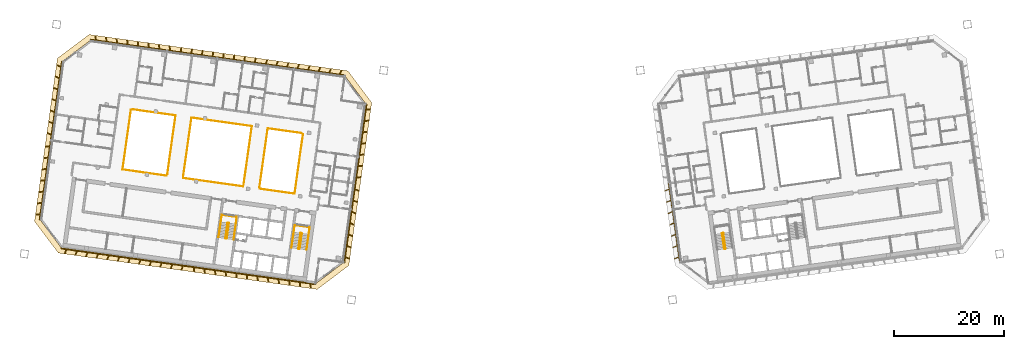
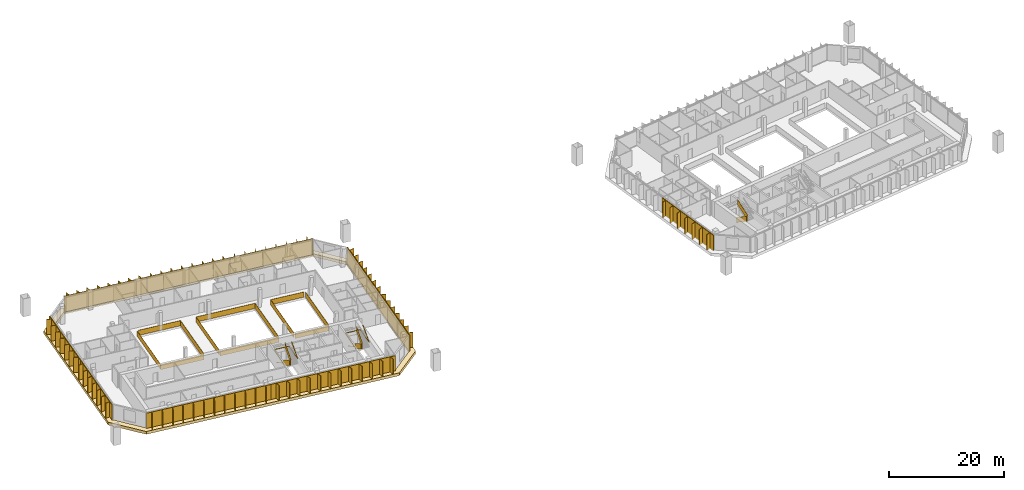
# One storey, part 22 of 23: 11 railings, 10 shading devices, 1 covering.
"""IFC4 building model written with IfcOpenShell, lengths in metres."""

from ifc_helpers import new_model, si_unit, direction, frame, origin, origin_2d, place, context, subcontext, project, spatial, polyline, rectangle, outline, extrude, material, layer, layer_set, type_object, element, save


model = new_model("IFC4")

# Units and contexts
model_context = context("Model", 3, precision=1e-05, world=origin(), true_north=direction((0.0, 1.0)))
body_context = subcontext(model_context, "Body", "Model", "MODEL_VIEW")
ifc_project = project(units=[si_unit("LENGTHUNIT", "METRE"), si_unit("AREAUNIT", "SQUARE_METRE"), si_unit("VOLUMEUNIT", "CUBIC_METRE"), si_unit("PLANEANGLEUNIT", "RADIAN"), si_unit("MASSUNIT", "GRAM", prefix="KILO")], contexts=[model_context])

# Site, building, storey
site_placement = place(None, origin())
site = spatial("IfcSite", under=ifc_project, at=site_placement, CompositionType="ELEMENT")
building_placement = place(site_placement, origin())
building = spatial("IfcBuilding", under=site, at=building_placement, Name="Mirante Cascada Hotel Towers", CompositionType="ELEMENT")
storey_placement = place(building_placement, frame((0.0, 0.0, 187.8)))
storey = spatial("IfcBuildingStorey", under=building, at=storey_placement, Name="L44", CompositionType="ELEMENT", Elevation=187.8)

# Railings
ifc_material_1 = material(Name="Toughened glass with stainless steel handrail", Category="steel")
railing_type_1 = type_object("IfcRailingType", Name="Atrium guard 1100 glass balustrade", PredefinedType="GUARDRAIL", material=ifc_material_1)
railing_1_placement = place(storey_placement, frame((-37.864, 6.7125, 0.0)))
element("IfcRailing", 1, at=railing_1_placement, inside=storey, type_object=railing_type_1, Name="GUARD 1-L44-1", PredefinedType="GUARDRAIL", context=body_context, shape_type="SweptSolid", body=[
    extrude(rectangle(XDim=0.048, YDim=0.048, at=origin_2d()), frame((0.0, 0.0, 1.076), z_axis=(-0.1391712, -0.9902683, 0.0), x_axis=(0.9902683, -0.1391712, 0.0)), (0.0, 0.0, 1.0), 10.9333),
    extrude(rectangle(XDim=0.02, YDim=1.052, at=origin_2d()), frame((0.0, 0.0, 0.526), z_axis=(-0.1391712, -0.9902683, 0.0), x_axis=(0.9902683, -0.1391712, 0.0)), (0.0, 0.0, 1.0), 10.9333),
    extrude(rectangle(XDim=0.048, YDim=0.048, at=origin_2d()), frame((-1.5216, -10.8269, 1.076), z_axis=(-0.9902682, 0.1391722, 0.0), x_axis=(-0.1391722, -0.9902682, 0.0)), (0.0, 0.0, 1.0), 6.4309),
    extrude(rectangle(XDim=0.02, YDim=1.052, at=origin_2d()), frame((-1.5216, -10.8269, 0.526), z_axis=(-0.9902682, 0.1391722, 0.0), x_axis=(-0.1391722, -0.9902682, 0.0)), (0.0, 0.0, 1.0), 6.4309),
])
railing_2_placement = place(storey_placement, frame((-48.7247, -2.8018, 0.0)))
element("IfcRailing", 2, at=railing_2_placement, inside=storey, type_object=railing_type_1, Name="GUARD 1-L44-2", PredefinedType="GUARDRAIL", context=body_context, shape_type="SweptSolid", body=[
    extrude(rectangle(XDim=0.048, YDim=0.048, at=origin_2d()), frame((0.0, 0.0, 1.076), z_axis=(-0.9902678, 0.139175, 0.0), x_axis=(-0.139175, -0.9902678, 0.0)), (0.0, 0.0, 1.0), 10.9581),
    extrude(rectangle(XDim=0.02, YDim=1.052, at=origin_2d()), frame((0.0, 0.0, 0.526), z_axis=(-0.9902678, 0.139175, 0.0), x_axis=(-0.139175, -0.9902678, 0.0)), (0.0, 0.0, 1.0), 10.9581),
])
railing_3_placement = place(storey_placement, frame((-62.5471, -0.8592, 0.0)))
element("IfcRailing", 3, at=railing_3_placement, inside=storey, type_object=railing_type_1, Name="GUARD 1-L44-3", PredefinedType="GUARDRAIL", context=body_context, shape_type="SweptSolid", body=[
    extrude(rectangle(XDim=0.048, YDim=0.048, at=origin_2d()), frame((0.0, 0.0, 1.076), z_axis=(1.0, 0.0, 0.0), x_axis=(0.0, 1.0, 0.0)), (0.0, 0.0, 1.0), 0.0001),
    extrude(rectangle(XDim=0.02, YDim=1.052, at=origin_2d()), frame((0.0, 0.0, 0.526), z_axis=(1.0, 0.0, 0.0), x_axis=(0.0, 1.0, 0.0)), (0.0, 0.0, 1.0), 0.0001),
    extrude(rectangle(XDim=0.048, YDim=0.048, at=origin_2d()), frame((0.0001, 0.0, 1.076), z_axis=(-0.9902685, 0.1391702, 0.0), x_axis=(-0.1391702, -0.9902685, 0.0)), (0.0, 0.0, 1.0), 8.1109),
    extrude(rectangle(XDim=0.02, YDim=1.052, at=origin_2d()), frame((0.0001, 0.0, 0.526), z_axis=(-0.9902685, 0.1391702, 0.0), x_axis=(-0.1391702, -0.9902685, 0.0)), (0.0, 0.0, 1.0), 8.1109),
    extrude(rectangle(XDim=0.048, YDim=0.048, at=origin_2d()), frame((-8.0319, 1.1288, 1.076), z_axis=(0.1391712, 0.9902683, 0.0), x_axis=(-0.9902683, 0.1391712, 0.0)), (0.0, 0.0, 1.0), 10.9333),
    extrude(rectangle(XDim=0.02, YDim=1.052, at=origin_2d()), frame((-8.0319, 1.1288, 0.526), z_axis=(0.1391712, 0.9902683, 0.0), x_axis=(-0.9902683, 0.1391712, 0.0)), (0.0, 0.0, 1.0), 10.9333),
])
railing_4_placement = place(storey_placement, frame((-62.4573, -0.5733, 0.0)))
element("IfcRailing", 4, at=railing_4_placement, inside=storey, type_object=railing_type_1, Name="GUARD 1-L44-4", PredefinedType="GUARDRAIL", context=body_context, shape_type="SweptSolid", body=[
    extrude(rectangle(XDim=0.048, YDim=0.048, at=origin_2d()), frame((0.0, 0.0, 1.076), z_axis=(0.1391702, 0.9902685, 0.0), x_axis=(-0.9902685, 0.1391702, 0.0)), (0.0, 0.0, 1.0), 10.7545),
    extrude(rectangle(XDim=0.02, YDim=1.052, at=origin_2d()), frame((0.0, 0.0, 0.526), z_axis=(0.1391702, 0.9902685, 0.0), x_axis=(-0.9902685, 0.1391702, 0.0)), (0.0, 0.0, 1.0), 10.7545),
    extrude(rectangle(XDim=0.048, YDim=0.048, at=origin_2d()), frame((1.4967, 10.6498, 1.076), z_axis=(-0.9902699, 0.1391604, 0.0), x_axis=(-0.1391604, -0.9902699, 0.0)), (0.0, 0.0, 1.0), 7.8837),
    extrude(rectangle(XDim=0.02, YDim=1.052, at=origin_2d()), frame((1.4967, 10.6498, 0.526), z_axis=(-0.9902699, 0.1391604, 0.0), x_axis=(-0.1391604, -0.9902699, 0.0)), (0.0, 0.0, 1.0), 7.8837),
])
railing_5_placement = place(storey_placement, frame((-48.635, -2.5159, 0.0)))
element("IfcRailing", 5, at=railing_5_placement, inside=storey, type_object=railing_type_1, Name="GUARD 1-L44-5", PredefinedType="GUARDRAIL", context=body_context, shape_type="SweptSolid", body=[
    extrude(rectangle(XDim=0.048, YDim=0.048, at=origin_2d()), frame((0.0, 0.0, 1.076), z_axis=(0.1391702, 0.9902685, 0.0), x_axis=(-0.9902685, 0.1391702, 0.0)), (0.0, 0.0, 1.0), 10.7545),
    extrude(rectangle(XDim=0.02, YDim=1.052, at=origin_2d()), frame((0.0, 0.0, 0.526), z_axis=(0.1391702, 0.9902685, 0.0), x_axis=(-0.9902685, 0.1391702, 0.0)), (0.0, 0.0, 1.0), 10.7545),
    extrude(rectangle(XDim=0.048, YDim=0.048, at=origin_2d()), frame((1.4967, 10.6498, 1.076), z_axis=(-0.9902684, 0.1391708, 0.0), x_axis=(-0.1391708, -0.9902684, 0.0)), (0.0, 0.0, 1.0), 11.0562),
    extrude(rectangle(XDim=0.02, YDim=1.052, at=origin_2d()), frame((1.4967, 10.6498, 0.526), z_axis=(-0.9902684, 0.1391708, 0.0), x_axis=(-0.1391708, -0.9902684, 0.0)), (0.0, 0.0, 1.0), 11.0562),
    extrude(rectangle(XDim=0.048, YDim=0.048, at=origin_2d()), frame((-9.4519, 12.1885, 1.076), z_axis=(-0.1391702, -0.9902685, 0.0), x_axis=(0.9902685, -0.1391702, 0.0)), (0.0, 0.0, 1.0), 10.7545),
    extrude(rectangle(XDim=0.02, YDim=1.052, at=origin_2d()), frame((-9.4519, 12.1885, 0.526), z_axis=(-0.1391702, -0.9902685, 0.0), x_axis=(0.9902685, -0.1391702, 0.0)), (0.0, 0.0, 1.0), 10.7545),
])
railing_6_placement = place(storey_placement, frame((-38.1213, 6.8666, 0.0)))
element("IfcRailing", 6, at=railing_6_placement, inside=storey, type_object=railing_type_1, Name="GUARD 1-L44-6", PredefinedType="GUARDRAIL", context=body_context, shape_type="SweptSolid", body=[
    extrude(rectangle(XDim=0.048, YDim=0.048, at=origin_2d()), frame((0.0, 0.0, 1.076), z_axis=(-0.9902677, 0.1391755, 0.0), x_axis=(-0.1391755, -0.9902677, 0.0)), (0.0, 0.0, 1.0), 6.2037),
    extrude(rectangle(XDim=0.02, YDim=1.052, at=origin_2d()), frame((0.0, 0.0, 0.526), z_axis=(-0.9902677, 0.1391755, 0.0), x_axis=(-0.1391755, -0.9902677, 0.0)), (0.0, 0.0, 1.0), 6.2037),
    extrude(rectangle(XDim=0.048, YDim=0.048, at=origin_2d()), frame((-6.1433, 0.8634, 1.076), z_axis=(-0.1391702, -0.9902685, 0.0), x_axis=(0.9902685, -0.1391702, 0.0)), (0.0, 0.0, 1.0), 10.7545),
    extrude(rectangle(XDim=0.02, YDim=1.052, at=origin_2d()), frame((-6.1433, 0.8634, 0.526), z_axis=(-0.1391702, -0.9902685, 0.0), x_axis=(0.9902685, -0.1391702, 0.0)), (0.0, 0.0, 1.0), 10.7545),
])

# Covering
ifc_material_2 = material(Name="Precast concrete C40/50 white", Category="concrete")
ifc_layer = layer(ifc_material_2, 0.6)
ifc_layer_set = layer_set([ifc_layer], Name="Precast concrete SUNSHADE band 1000x600")
covering_type = type_object("IfcCoveringType", Name="Precast concrete SUNSHADE band 1000x600", PredefinedType="CLADDING", material=ifc_layer_set)
covering_placement = place(storey_placement, frame((0.0, 0.0, -0.45)))
element("IfcCovering", 7, at=covering_placement, inside=storey, type_object=covering_type, Name="Precast concrete SUNSHADE band T1 L44", PredefinedType="CLADDING", context=body_context, shape_type="SweptSolid", body=[
    extrude(outline(polyline([(-86.5404, -9.1145), (-82.3891, 20.4236), (-76.645, 24.7521), (-29.7501, 18.1614), (-25.4216, 12.4173), (-29.5729, -17.1208), (-35.317, -21.4493), (-82.2119, -14.8586), (-86.5404, -9.1145)]), holes=[polyline([(-26.4695, 12.1463), (-30.2994, 17.2288), (-76.374, 23.7042), (-81.4565, 19.8742), (-85.4925, -8.8435), (-81.6626, -13.926), (-35.588, -20.4014), (-30.5055, -16.5715), (-26.4695, 12.1463)])]), origin(), (0.0, 0.0, 1.0), 0.6),
])

# Railings
ifc_material_3 = material(Name="Painted steel", Category="steel")
railing_type_2 = type_object("IfcRailingType", Name="Stair guard 1100 steel balustrade", PredefinedType="GUARDRAIL", material=ifc_material_3)
railing_7_placement = place(storey_placement, frame((-38.1178, -11.2603, 0.0)))
element("IfcRailing", 8, at=railing_7_placement, inside=storey, type_object=railing_type_2, Name="L44 ST1-A stair guard 1", PredefinedType="GUARDRAIL", context=body_context, shape_type="SweptSolid", body=[
    extrude(rectangle(XDim=0.048, YDim=0.048, at=origin_2d()), frame((0.0, 0.0, 1.076), z_axis=(-0.9903326, 0.1387133, 0.0), x_axis=(-0.1387133, -0.9903326, 0.0)), (0.0, 0.0, 1.0), 0.1499),
    extrude(rectangle(XDim=0.02, YDim=1.052, at=origin_2d()), frame((0.0, 0.0, 0.526), z_axis=(-0.9903326, 0.1387133, 0.0), x_axis=(-0.1387133, -0.9903326, 0.0)), (0.0, 0.0, 1.0), 0.1499),
    extrude(rectangle(XDim=0.048, YDim=0.048, at=origin_2d()), frame((-0.1485, 0.0208, 1.076), z_axis=(-0.7991505, -0.6011309, 0.0), x_axis=(0.6011309, -0.7991505, 0.0)), (0.0, 0.9254529, 0.3788627), 0.1866),
    extrude(rectangle(XDim=0.02, YDim=1.052, at=origin_2d()), frame((-0.1485, 0.0208, 0.526), z_axis=(-0.7991505, -0.6011309, 0.0), x_axis=(0.6011309, -0.7991505, 0.0)), (0.0, 0.9254529, 0.3788627), 0.1866),
    extrude(rectangle(XDim=0.048, YDim=0.048, at=origin_2d()), frame((-0.205, -0.0217, 1.2487), z_axis=(-0.139176, -0.9902677, 0.0), x_axis=(0.9902677, -0.139176, 0.0)), (0.0, 0.5250212, 0.8510891), 3.29),
    extrude(rectangle(XDim=0.02, YDim=1.052, at=origin_2d()), frame((-0.205, -0.0217, 0.6987), z_axis=(-0.139176, -0.9902677, 0.0), x_axis=(0.9902677, -0.139176, 0.0)), (0.0, 0.5250212, 0.8510891), 3.29),
    extrude(rectangle(XDim=0.048, YDim=0.048, at=origin_2d()), frame((-0.5947, -2.7945, 2.976), z_axis=(0.9270311, -0.3749843, 0.0), x_axis=(0.3749843, 0.9270311, 0.0)), (0.0, 0.0, 1.0), 0.2061),
    extrude(rectangle(XDim=0.02, YDim=1.052, at=origin_2d()), frame((-0.5947, -2.7945, 2.426), z_axis=(0.9270311, -0.3749843, 0.0), x_axis=(0.3749843, 0.9270311, 0.0)), (0.0, 0.0, 1.0), 0.2061),
    extrude(rectangle(XDim=0.048, YDim=0.048, at=origin_2d()), frame((-0.4036, -2.8718, 2.976), z_axis=(-0.9902408, 0.1393672, 0.0), x_axis=(-0.1393672, -0.9902408, 0.0)), (0.0, 0.0, 1.0), 0.15),
    extrude(rectangle(XDim=0.02, YDim=1.052, at=origin_2d()), frame((-0.4036, -2.8718, 2.426), z_axis=(-0.9902408, 0.1393672, 0.0), x_axis=(-0.1393672, -0.9902408, 0.0)), (0.0, 0.0, 1.0), 0.15),
    extrude(rectangle(XDim=0.048, YDim=0.048, at=origin_2d()), frame((-0.5521, -2.8509, 2.976), z_axis=(0.9944948, 0.1047858, 0.0), x_axis=(-0.1047858, 0.9944948, 0.0)), (0.0, 0.6422034, 0.7665343), 0.2689),
    extrude(rectangle(XDim=0.02, YDim=1.052, at=origin_2d()), frame((-0.5521, -2.8509, 2.426), z_axis=(0.9944948, 0.1047858, 0.0), x_axis=(-0.1047858, 0.9944948, 0.0)), (0.0, 0.6422034, 0.7665343), 0.2689),
    extrude(rectangle(XDim=0.048, YDim=0.048, at=origin_2d()), frame((-0.3471, -2.8293, 3.1487), z_axis=(0.139176, 0.9902677, 0.0), x_axis=(-0.9902677, 0.139176, 0.0)), (0.0, 0.5250212, 0.8510891), 3.29),
    extrude(rectangle(XDim=0.02, YDim=1.052, at=origin_2d()), frame((-0.3471, -2.8293, 2.5987), z_axis=(0.139176, 0.9902677, 0.0), x_axis=(-0.9902677, 0.139176, 0.0)), (0.0, 0.5250212, 0.8510891), 3.29),
])
railing_8_placement = place(storey_placement, frame((-51.3379, -9.4024, 0.0)))
element("IfcRailing", 9, at=railing_8_placement, inside=storey, type_object=railing_type_2, Name="L44 ST1-B stair guard 1", PredefinedType="GUARDRAIL", context=body_context, shape_type="SweptSolid", body=[
    extrude(rectangle(XDim=0.048, YDim=0.048, at=origin_2d()), frame((0.0, 0.0, 1.076), z_axis=(-0.9902408, 0.1393672, 0.0), x_axis=(-0.1393672, -0.9902408, 0.0)), (0.0, 0.0, 1.0), 0.15),
    extrude(rectangle(XDim=0.02, YDim=1.052, at=origin_2d()), frame((0.0, 0.0, 0.526), z_axis=(-0.9902408, 0.1393672, 0.0), x_axis=(-0.1393672, -0.9902408, 0.0)), (0.0, 0.0, 1.0), 0.15),
    extrude(rectangle(XDim=0.048, YDim=0.048, at=origin_2d()), frame((-0.1485, 0.0209, 1.076), z_axis=(-0.7984711, -0.6020331, 0.0), x_axis=(0.6020331, -0.7984711, 0.0)), (0.0, 0.9253398, 0.3791387), 0.1866),
    extrude(rectangle(XDim=0.02, YDim=1.052, at=origin_2d()), frame((-0.1485, 0.0209, 0.526), z_axis=(-0.7984711, -0.6020331, 0.0), x_axis=(0.6020331, -0.7984711, 0.0)), (0.0, 0.9253398, 0.3791387), 0.1866),
    extrude(rectangle(XDim=0.048, YDim=0.048, at=origin_2d()), frame((-0.205, -0.0217, 1.2487), z_axis=(-0.139181, -0.990267, 0.0), x_axis=(0.990267, -0.139181, 0.0)), (0.0, 0.5250347, 0.8510808), 3.2899),
    extrude(rectangle(XDim=0.02, YDim=1.052, at=origin_2d()), frame((-0.205, -0.0217, 0.6987), z_axis=(-0.139181, -0.990267, 0.0), x_axis=(0.990267, -0.139181, 0.0)), (0.0, 0.5250347, 0.8510808), 3.2899),
    extrude(rectangle(XDim=0.048, YDim=0.048, at=origin_2d()), frame((-0.5947, -2.7944, 2.976), z_axis=(0.9268624, -0.3754011, 0.0), x_axis=(0.3754011, 0.9268624, 0.0)), (0.0, 0.0, 1.0), 0.2062),
    extrude(rectangle(XDim=0.02, YDim=1.052, at=origin_2d()), frame((-0.5947, -2.7944, 2.426), z_axis=(0.9268624, -0.3754011, 0.0), x_axis=(0.3754011, 0.9268624, 0.0)), (0.0, 0.0, 1.0), 0.2062),
    extrude(rectangle(XDim=0.048, YDim=0.048, at=origin_2d()), frame((-0.4036, -2.8718, 2.976), z_axis=(-0.9902408, 0.1393672, 0.0), x_axis=(-0.1393672, -0.9902408, 0.0)), (0.0, 0.0, 1.0), 0.15),
    extrude(rectangle(XDim=0.02, YDim=1.052, at=origin_2d()), frame((-0.4036, -2.8718, 2.426), z_axis=(-0.9902408, 0.1393672, 0.0), x_axis=(-0.1393672, -0.9902408, 0.0)), (0.0, 0.0, 1.0), 0.15),
    extrude(rectangle(XDim=0.048, YDim=0.048, at=origin_2d()), frame((-0.5521, -2.8509, 2.976), z_axis=(0.9944441, 0.1052656, 0.0), x_axis=(-0.1052656, 0.9944441, 0.0)), (0.0, 0.6421842, 0.7665504), 0.2689),
    extrude(rectangle(XDim=0.02, YDim=1.052, at=origin_2d()), frame((-0.5521, -2.8509, 2.426), z_axis=(0.9944441, 0.1052656, 0.0), x_axis=(-0.1052656, 0.9944441, 0.0)), (0.0, 0.6421842, 0.7665504), 0.2689),
    extrude(rectangle(XDim=0.048, YDim=0.048, at=origin_2d()), frame((-0.3471, -2.8292, 3.1487), z_axis=(0.139181, 0.990267, 0.0), x_axis=(-0.990267, 0.139181, 0.0)), (0.0, 0.5250347, 0.8510808), 3.2899),
    extrude(rectangle(XDim=0.02, YDim=1.052, at=origin_2d()), frame((-0.3471, -2.8292, 2.5987), z_axis=(0.139181, 0.990267, 0.0), x_axis=(-0.990267, 0.139181, 0.0)), (0.0, 0.5250347, 0.8510808), 3.2899),
])
railing_9_placement = place(storey_placement, frame((38.2663, -11.2395, 0.0)))
element("IfcRailing", 10, at=railing_9_placement, inside=storey, type_object=railing_type_2, Name="L44 ST2-A stair guard 1", PredefinedType="GUARDRAIL", context=body_context, shape_type="SweptSolid", body=[
    extrude(rectangle(XDim=0.048, YDim=0.048, at=origin_2d()), frame((0.0, 0.0, 1.076), z_axis=(-0.9903326, -0.1387133, 0.0), x_axis=(0.1387133, -0.9903326, 0.0)), (0.0, 0.0, 1.0), 0.1499),
    extrude(rectangle(XDim=0.02, YDim=1.052, at=origin_2d()), frame((0.0, 0.0, 0.526), z_axis=(-0.9903326, -0.1387133, 0.0), x_axis=(0.1387133, -0.9903326, 0.0)), (0.0, 0.0, 1.0), 0.1499),
    extrude(rectangle(XDim=0.048, YDim=0.048, at=origin_2d()), frame((-0.1485, -0.0208, 1.076), z_axis=(-0.6020331, -0.7984711, 0.0), x_axis=(0.7984711, -0.6020331, 0.0)), (0.0, 0.9253398, 0.3791387), 0.1866),
    extrude(rectangle(XDim=0.02, YDim=1.052, at=origin_2d()), frame((-0.1485, -0.0208, 0.526), z_axis=(-0.6020331, -0.7984711, 0.0), x_axis=(0.7984711, -0.6020331, 0.0)), (0.0, 0.9253398, 0.3791387), 0.1866),
    extrude(rectangle(XDim=0.048, YDim=0.048, at=origin_2d()), frame((-0.1911, -0.0773, 1.2487), z_axis=(0.139176, -0.9902677, 0.0), x_axis=(0.9902677, 0.139176, 0.0)), (0.0, 0.5250212, 0.8510891), 3.29),
    extrude(rectangle(XDim=0.02, YDim=1.052, at=origin_2d()), frame((-0.1911, -0.0773, 0.6987), z_axis=(0.139176, -0.9902677, 0.0), x_axis=(0.9902677, 0.139176, 0.0)), (0.0, 0.5250212, 0.8510891), 3.29),
    extrude(rectangle(XDim=0.048, YDim=0.048, at=origin_2d()), frame((0.1986, -2.8501, 2.976), z_axis=(0.9944948, -0.1047858, 0.0), x_axis=(0.1047858, 0.9944948, 0.0)), (0.0, 0.0, 1.0), 0.2061),
    extrude(rectangle(XDim=0.02, YDim=1.052, at=origin_2d()), frame((0.1986, -2.8501, 2.426), z_axis=(0.9944948, -0.1047858, 0.0), x_axis=(0.1047858, 0.9944948, 0.0)), (0.0, 0.0, 1.0), 0.2061),
    extrude(rectangle(XDim=0.048, YDim=0.048, at=origin_2d()), frame((0.4036, -2.8717, 2.976), z_axis=(-0.9902408, -0.1393672, 0.0), x_axis=(0.1393672, -0.9902408, 0.0)), (0.0, 0.0, 1.0), 0.15),
    extrude(rectangle(XDim=0.02, YDim=1.052, at=origin_2d()), frame((0.4036, -2.8717, 2.426), z_axis=(-0.9902408, -0.1393672, 0.0), x_axis=(0.1393672, -0.9902408, 0.0)), (0.0, 0.0, 1.0), 0.15),
    extrude(rectangle(XDim=0.048, YDim=0.048, at=origin_2d()), frame((0.2551, -2.8926, 2.976), z_axis=(0.9270311, 0.3749843, 0.0), x_axis=(-0.3749843, 0.9270311, 0.0)), (0.0, 0.6421903, 0.7665452), 0.2689),
    extrude(rectangle(XDim=0.02, YDim=1.052, at=origin_2d()), frame((0.2551, -2.8926, 2.426), z_axis=(0.9270311, 0.3749843, 0.0), x_axis=(-0.3749843, 0.9270311, 0.0)), (0.0, 0.6421903, 0.7665452), 0.2689),
    extrude(rectangle(XDim=0.048, YDim=0.048, at=origin_2d()), frame((0.4462, -2.8153, 3.1487), z_axis=(-0.139176, 0.9902677, 0.0), x_axis=(-0.9902677, -0.139176, 0.0)), (0.0, 0.5250212, 0.8510891), 3.29),
    extrude(rectangle(XDim=0.02, YDim=1.052, at=origin_2d()), frame((0.4462, -2.8153, 2.5987), z_axis=(-0.139176, 0.9902677, 0.0), x_axis=(-0.9902677, -0.139176, 0.0)), (0.0, 0.5250212, 0.8510891), 3.29),
])
ifc_material_4 = material(Name="Painted steel", Category="steel")
railing_type_3 = type_object("IfcRailingType", Name="Stair handrail 900 steel tube", PredefinedType="HANDRAIL", material=ifc_material_4)
railing_10_placement = place(storey_placement, frame((-39.5606, -11.1081, 0.1727)))
element("IfcRailing", 11, at=railing_10_placement, inside=storey, type_object=railing_type_3, Name="L44 ST1-A stair handrail 1", PredefinedType="HANDRAIL", context=body_context, shape_type="SweptSolid", body=[
    extrude(rectangle(XDim=0.048, YDim=0.048, at=origin_2d()), frame((0.0, 0.0, 0.876), z_axis=(-0.139181, -0.990267, 0.0), x_axis=(0.990267, -0.139181, 0.0)), (0.0, 0.5250347, 0.8510808), 3.2899),
    extrude(rectangle(XDim=0.048, YDim=0.048, at=origin_2d()), frame((-0.3897, -2.7727, 2.6033), z_axis=(0.1391707, 0.9902684, 0.0), x_axis=(-0.9902684, 0.1391707, 0.0)), (0.0, 0.0420846, 0.999114), 4.1036),
    extrude(rectangle(XDim=0.048, YDim=0.048, at=origin_2d()), frame((0.1809, 1.2874, 2.776), z_axis=(0.9902691, -0.1391657, 0.0), x_axis=(0.1391657, 0.9902691, 0.0)), (0.0, 0.0, 1.0), 2.75),
    extrude(rectangle(XDim=0.048, YDim=0.048, at=origin_2d()), frame((2.9041, 0.9047, 2.776), z_axis=(-0.1391707, -0.9902684, 0.0), x_axis=(0.9902684, -0.1391707, 0.0)), (0.0, 0.0, 1.0), 4.1),
    extrude(rectangle(XDim=0.048, YDim=0.048, at=origin_2d()), frame((2.3335, -3.1554, 2.776), z_axis=(0.139181, 0.990267, 0.0), x_axis=(-0.990267, 0.139181, 0.0)), (0.0, 0.5250347, 0.8510808), 3.2899),
])
railing_11_placement = place(storey_placement, frame((-52.7807, -9.2501, 0.1727)))
element("IfcRailing", 12, at=railing_11_placement, inside=storey, type_object=railing_type_3, Name="L44 ST1-B stair handrail 1", PredefinedType="HANDRAIL", context=body_context, shape_type="SweptSolid", body=[
    extrude(rectangle(XDim=0.048, YDim=0.048, at=origin_2d()), frame((0.0, 0.0, 0.876), z_axis=(-0.139181, -0.990267, 0.0), x_axis=(0.990267, -0.139181, 0.0)), (0.0, 0.5250347, 0.8510808), 3.2899),
    extrude(rectangle(XDim=0.048, YDim=0.048, at=origin_2d()), frame((-0.3897, -2.7727, 2.6033), z_axis=(0.1391707, 0.9902684, 0.0), x_axis=(-0.9902684, 0.1391707, 0.0)), (0.0, 0.0420846, 0.999114), 4.1036),
    extrude(rectangle(XDim=0.048, YDim=0.048, at=origin_2d()), frame((0.1809, 1.2874, 2.776), z_axis=(0.9902641, -0.1392013, 0.0), x_axis=(0.1392013, 0.9902641, 0.0)), (0.0, 0.0, 1.0), 2.75),
    extrude(rectangle(XDim=0.048, YDim=0.048, at=origin_2d()), frame((2.9041, 0.9046, 2.776), z_axis=(-0.1391707, -0.9902684, 0.0), x_axis=(0.9902684, -0.1391707, 0.0)), (0.0, 0.0, 1.0), 4.1),
    extrude(rectangle(XDim=0.048, YDim=0.048, at=origin_2d()), frame((2.3335, -3.1555, 2.776), z_axis=(0.139176, 0.9902677, 0.0), x_axis=(-0.9902677, 0.139176, 0.0)), (0.0, 0.5250212, 0.8510891), 3.29),
])

# Shading devices
ifc_material_5 = material(Name="White precast concrete C50/60 fin", Category="concrete")
shading_device_type = type_object("IfcShadingDeviceType", Name="Vertical fin set 4500x900", PredefinedType="USERDEFINED", material=ifc_material_5)
shading_device_1_placement = place(storey_placement, origin())
element("IfcShadingDevice", 13, at=shading_device_1_placement, inside=storey, type_object=shading_device_type, Name="FIN T1 L44 front 1", ObjectType="FIN", PredefinedType="USERDEFINED", context=body_context, shape_type="SweptSolid", body=[
    extrude(outline(polyline([(-61.9271, 21.8253), (-60.9949, 21.6943), (-61.0158, 21.5457), (-76.374, 23.7042), (-76.3531, 23.8527), (-75.4475, 23.7254), (-75.5496, 24.5567), (-75.4702, 24.5665), (-75.3655, 23.7139), (-73.5277, 23.4556), (-73.6298, 24.2869), (-73.5504, 24.2966), (-73.4457, 23.4441), (-71.6079, 23.1858), (-71.71, 24.0171), (-71.6306, 24.0268), (-71.5259, 23.1743), (-69.6882, 22.916), (-69.7902, 23.7473), (-69.7108, 23.757), (-69.6062, 22.9045), (-67.7684, 22.6462), (-67.8705, 23.4775), (-67.7911, 23.4872), (-67.6864, 22.6347), (-65.8486, 22.3764), (-65.9507, 23.2077), (-65.8713, 23.2174), (-65.7666, 22.3649), (-63.9289, 22.1066), (-64.0309, 22.9379), (-63.9515, 22.9476), (-63.8468, 22.0951), (-62.0091, 21.8368), (-62.1112, 22.6681), (-62.0317, 22.6778), (-61.9271, 21.8253)])), origin(), (0.0, 0.0, 1.0), 3.35),
])
shading_device_2_placement = place(storey_placement, origin())
element("IfcShadingDevice", 14, at=shading_device_2_placement, inside=storey, type_object=shading_device_type, Name="FIN T1 L44 front 2", ObjectType="FIN", PredefinedType="USERDEFINED", context=body_context, shape_type="SweptSolid", body=[
    extrude(outline(polyline([(-46.557, 19.6651), (-45.6367, 19.5358), (-45.6576, 19.3873), (-61.0158, 21.5457), (-60.9949, 21.6943), (-60.0746, 21.5649), (-59.9563, 22.4066), (-59.8771, 22.3955), (-59.9954, 21.5538), (-58.1549, 21.2951), (-58.0366, 22.1368), (-57.9574, 22.1257), (-58.0757, 21.284), (-56.2351, 21.0253), (-56.1168, 21.867), (-56.0376, 21.8559), (-56.1559, 21.0142), (-54.3153, 20.7555), (-54.197, 21.5972), (-54.1178, 21.5861), (-54.2361, 20.7444), (-52.3956, 20.4857), (-52.2773, 21.3274), (-52.198, 21.3163), (-52.3163, 20.4746), (-50.4758, 20.2159), (-50.3575, 21.0576), (-50.2783, 21.0465), (-50.3966, 20.2047), (-48.556, 19.9461), (-48.4377, 20.7878), (-48.3585, 20.7767), (-48.4768, 19.9349), (-46.6362, 19.6763), (-46.5179, 20.518), (-46.4387, 20.5069), (-46.557, 19.6651)])), origin(), (0.0, 0.0, 1.0), 3.35),
])
shading_device_3_placement = place(storey_placement, origin())
element("IfcShadingDevice", 15, at=shading_device_3_placement, inside=storey, type_object=shading_device_type, Name="FIN T1 L44 front 3", ObjectType="FIN", PredefinedType="USERDEFINED", context=body_context, shape_type="SweptSolid", body=[
    extrude(outline(polyline([(-31.1842, 17.5046), (-30.2786, 17.3773), (-30.2994, 17.2288), (-45.6576, 19.3873), (-45.6367, 19.5358), (-44.7046, 19.4048), (-44.369, 20.1955), (-44.2953, 20.1642), (-44.6226, 19.3933), (-42.7848, 19.135), (-42.4492, 19.9257), (-42.3756, 19.8944), (-42.7028, 19.1235), (-40.865, 18.8652), (-40.5294, 19.6559), (-40.4558, 19.6246), (-40.783, 18.8537), (-38.9453, 18.5954), (-38.6097, 19.386), (-38.536, 19.3548), (-38.8633, 18.5838), (-37.0255, 18.3256), (-36.6899, 19.1162), (-36.6162, 19.085), (-36.9435, 18.314), (-35.1057, 18.0558), (-34.7701, 18.8464), (-34.6965, 18.8152), (-35.0237, 18.0442), (-33.186, 17.786), (-32.8503, 18.5766), (-32.7767, 18.5454), (-33.1039, 17.7744), (-31.2662, 17.5161), (-30.9306, 18.3068), (-30.8569, 18.2756), (-31.1842, 17.5046)])), origin(), (0.0, 0.0, 1.0), 3.35),
])
shading_device_4_placement = place(storey_placement, origin())
element("IfcShadingDevice", 16, at=shading_device_4_placement, inside=storey, type_object=shading_device_type, Name="FIN T1 L44 inner 1", ObjectType="FIN", PredefinedType="USERDEFINED", context=body_context, shape_type="SweptSolid", body=[
    extrude(outline(polyline([(-28.1987, -1.2355), (-28.339, -2.2334), (-28.4875, -2.2126), (-26.4695, 12.1463), (-26.321, 12.1254), (-26.4575, 11.1541), (-25.6262, 11.2562), (-25.6165, 11.1767), (-26.469, 11.0721), (-26.7458, 9.1028), (-25.9145, 9.2049), (-25.9047, 9.1255), (-26.7573, 9.0208), (-27.0341, 7.0515), (-26.2028, 7.1536), (-26.193, 7.0742), (-27.0456, 6.9695), (-27.3223, 5.0003), (-26.4911, 5.1023), (-26.4813, 5.0229), (-27.3339, 4.9183), (-27.6106, 2.949), (-26.7794, 3.0511), (-26.7696, 2.9717), (-27.6222, 2.867), (-27.8989, 0.8977), (-27.0676, 0.9998), (-27.0579, 0.9204), (-27.9104, 0.8157), (-28.1872, -1.1535), (-27.3559, -1.0515), (-27.3462, -1.1309), (-28.1987, -1.2355)])), origin(), (0.0, 0.0, 1.0), 3.35),
])
shading_device_5_placement = place(storey_placement, origin())
element("IfcShadingDevice", 17, at=shading_device_5_placement, inside=storey, type_object=shading_device_type, Name="FIN T1 L44 inner 2", ObjectType="FIN", PredefinedType="USERDEFINED", context=body_context, shape_type="SweptSolid", body=[
    extrude(outline(polyline([(-30.2205, -15.621), (-30.357, -16.5923), (-30.5055, -16.5715), (-28.4875, -2.2126), (-28.339, -2.2334), (-28.4792, -3.2313), (-27.6885, -3.567), (-27.7198, -3.6406), (-28.4907, -3.3134), (-28.7675, -5.2826), (-27.9768, -5.6182), (-28.0081, -5.6919), (-28.779, -5.3646), (-29.0558, -7.3339), (-28.2651, -7.6695), (-28.2964, -7.7431), (-29.0673, -7.4159), (-29.3441, -9.3851), (-28.5534, -9.7208), (-28.5847, -9.7944), (-29.3556, -9.4672), (-29.6324, -11.4364), (-28.8417, -11.772), (-28.873, -11.8457), (-29.6439, -11.5184), (-29.9207, -13.4877), (-29.13, -13.8233), (-29.1612, -13.8969), (-29.9322, -13.5697), (-30.2089, -15.539), (-29.4183, -15.8746), (-29.4495, -15.9482), (-30.2205, -15.621)])), origin(), (0.0, 0.0, 1.0), 3.35),
])
shading_device_6_placement = place(storey_placement, origin())
element("IfcShadingDevice", 18, at=shading_device_6_placement, inside=storey, type_object=shading_device_type, Name="FIN T1 L44 outer 1", ObjectType="FIN", PredefinedType="USERDEFINED", context=body_context, shape_type="SweptSolid", body=[
    extrude(outline(polyline([(-85.493, -7.7693), (-85.2162, -5.8), (-86.0475, -5.9021), (-86.0572, -5.8227), (-85.2047, -5.718), (-84.9279, -3.7488), (-85.7592, -3.8508), (-85.769, -3.7714), (-84.9164, -3.6667), (-84.6396, -1.6975), (-85.4709, -1.7996), (-85.4807, -1.7202), (-84.6281, -1.6155), (-84.3514, 0.3538), (-85.1826, 0.2517), (-85.1924, 0.3311), (-84.3398, 0.4358), (-84.0631, 2.405), (-84.8943, 2.303), (-84.9041, 2.3824), (-84.0515, 2.4871), (-83.7748, 4.4563), (-84.6061, 4.3542), (-84.6158, 4.4336), (-83.7633, 4.5383), (-83.623, 5.5362), (-83.4745, 5.5153), (-85.4925, -8.8435), (-85.641, -8.8227), (-85.5045, -7.8513), (-86.3358, -7.9534), (-86.3455, -7.874), (-85.493, -7.7693)])), origin(), (0.0, 0.0, 1.0), 3.35),
])
shading_device_7_placement = place(storey_placement, origin())
element("IfcShadingDevice", 19, at=shading_device_7_placement, inside=storey, type_object=shading_device_type, Name="FIN T1 L44 outer 2", ObjectType="FIN", PredefinedType="USERDEFINED", context=body_context, shape_type="SweptSolid", body=[
    extrude(outline(polyline([(-83.4712, 6.6161), (-83.1945, 8.5854), (-83.9852, 8.921), (-83.9539, 8.9946), (-83.183, 8.6674), (-82.9062, 10.6367), (-83.6969, 10.9723), (-83.6656, 11.0459), (-82.8947, 10.7187), (-82.6179, 12.6879), (-83.4086, 13.0235), (-83.3773, 13.0972), (-82.6064, 12.7699), (-82.3296, 14.7392), (-83.1203, 15.0748), (-83.089, 15.1485), (-82.3181, 14.8212), (-82.0413, 16.7905), (-82.832, 17.1261), (-82.8007, 17.1997), (-82.0298, 16.8725), (-81.753, 18.8417), (-82.5437, 19.1774), (-82.5125, 19.251), (-81.7415, 18.9238), (-81.605, 19.8951), (-81.4565, 19.8742), (-83.4745, 5.5153), (-83.623, 5.5362), (-83.4828, 6.5341), (-84.2734, 6.8697), (-84.2422, 6.9434), (-83.4712, 6.6161)])), origin(), (0.0, 0.0, 1.0), 3.35),
])
shading_device_8_placement = place(storey_placement, origin())
element("IfcShadingDevice", 20, at=shading_device_8_placement, inside=storey, type_object=shading_device_type, Name="FIN T1 L44 rear 1", ObjectType="FIN", PredefinedType="USERDEFINED", context=body_context, shape_type="SweptSolid", body=[
    extrude(outline(polyline([(-48.1151, -18.7923), (-49.9529, -18.534), (-49.8508, -19.3653), (-49.9302, -19.375), (-50.0349, -18.5225), (-51.8727, -18.2642), (-51.7706, -19.0955), (-51.85, -19.1052), (-51.9547, -18.2527), (-53.7925, -17.9944), (-53.6904, -18.8257), (-53.7698, -18.8354), (-53.8745, -17.9829), (-55.7122, -17.7246), (-55.6102, -18.5559), (-55.6896, -18.5656), (-55.7942, -17.7131), (-57.632, -17.4548), (-57.5299, -18.286), (-57.6093, -18.2958), (-57.714, -17.4432), (-58.6462, -17.3122), (-58.6253, -17.1637), (-35.588, -20.4014), (-35.6089, -20.5499), (-36.5145, -20.4226), (-36.4124, -21.2539), (-36.4918, -21.2637), (-36.5965, -20.4111), (-38.4343, -20.1528), (-38.3322, -20.9841), (-38.4116, -20.9939), (-38.5163, -20.1413), (-40.354, -19.883), (-40.252, -20.7143), (-40.3314, -20.7241), (-40.4361, -19.8715), (-42.2738, -19.6132), (-42.1717, -20.4445), (-42.2511, -20.4543), (-42.3558, -19.6017), (-44.1936, -19.3434), (-44.0915, -20.1747), (-44.1709, -20.1844), (-44.2756, -19.3319), (-46.1134, -19.0736), (-46.0113, -19.9049), (-46.0907, -19.9146), (-46.1954, -19.0621), (-48.0331, -18.8038), (-47.9311, -19.6351), (-48.0105, -19.6448), (-48.1151, -18.7923)])), origin(), (0.0, 0.0, 1.0), 3.35),
])
shading_device_9_placement = place(storey_placement, origin())
element("IfcShadingDevice", 21, at=shading_device_9_placement, inside=storey, type_object=shading_device_type, Name="FIN T1 L44 rear 2", ObjectType="FIN", PredefinedType="USERDEFINED", context=body_context, shape_type="SweptSolid", body=[
    extrude(outline(polyline([(-71.179, -15.5509), (-73.0167, -15.2926), (-73.3523, -16.0833), (-73.426, -16.052), (-73.0987, -15.2811), (-74.9365, -15.0228), (-75.2721, -15.8135), (-75.3457, -15.7822), (-75.0185, -15.0113), (-76.8563, -14.753), (-77.1919, -15.5437), (-77.2655, -15.5124), (-76.9383, -14.7415), (-78.776, -14.4832), (-79.1117, -15.2738), (-79.1853, -15.2426), (-78.858, -14.4716), (-80.6958, -14.2134), (-81.0314, -15.004), (-81.1051, -14.9728), (-80.7778, -14.2018), (-81.6834, -14.0746), (-81.6626, -13.926), (-58.6253, -17.1637), (-58.6462, -17.3122), (-59.5783, -17.1812), (-59.9139, -17.9719), (-59.9876, -17.9407), (-59.6603, -17.1697), (-61.4981, -16.9114), (-61.8337, -17.7021), (-61.9073, -17.6708), (-61.5801, -16.8999), (-63.4179, -16.6416), (-63.7535, -17.4323), (-63.8271, -17.401), (-63.4999, -16.6301), (-65.3376, -16.3718), (-65.6732, -17.1625), (-65.7469, -17.1312), (-65.4196, -16.3603), (-67.2574, -16.102), (-67.593, -16.8927), (-67.6667, -16.8614), (-67.3394, -16.0905), (-69.1772, -15.8322), (-69.5128, -16.6229), (-69.5864, -16.5916), (-69.2592, -15.8207), (-71.0969, -15.5624), (-71.4326, -16.3531), (-71.5062, -16.3218), (-71.179, -15.5509)])), origin(), (0.0, 0.0, 1.0), 3.35),
])
shading_device_10_placement = place(storey_placement, origin())
element("IfcShadingDevice", 22, at=shading_device_10_placement, inside=storey, type_object=shading_device_type, Name="FIN T2 L44 inner 2", ObjectType="FIN", PredefinedType="USERDEFINED", context=body_context, shape_type="SweptSolid", body=[
    extrude(outline(polyline([(29.4183, -15.8746), (30.2089, -15.539), (29.9322, -13.5697), (29.1612, -13.8969), (29.13, -13.8233), (29.9207, -13.4877), (29.6439, -11.5184), (28.873, -11.8457), (28.8417, -11.772), (29.6324, -11.4364), (29.3556, -9.4672), (28.5847, -9.7944), (28.5534, -9.7208), (29.3441, -9.3851), (29.0673, -7.4159), (28.2964, -7.7431), (28.2651, -7.6695), (29.0558, -7.3339), (28.779, -5.3646), (28.0081, -5.6919), (27.9768, -5.6182), (28.7675, -5.2826), (28.4907, -3.3134), (27.7198, -3.6406), (27.6885, -3.567), (28.4792, -3.2313), (28.339, -2.2334), (28.4875, -2.2126), (30.5055, -16.5715), (30.357, -16.5923), (30.2205, -15.621), (29.4495, -15.9482), (29.4183, -15.8746)])), origin(), (0.0, 0.0, 1.0), 3.35),
])

save(model, "model.ifc")
